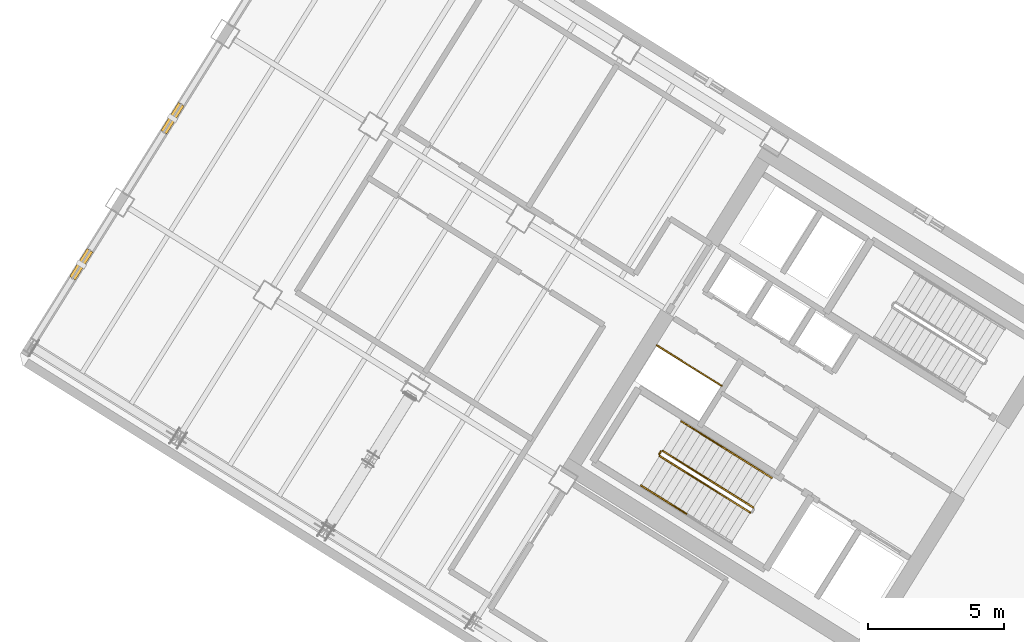
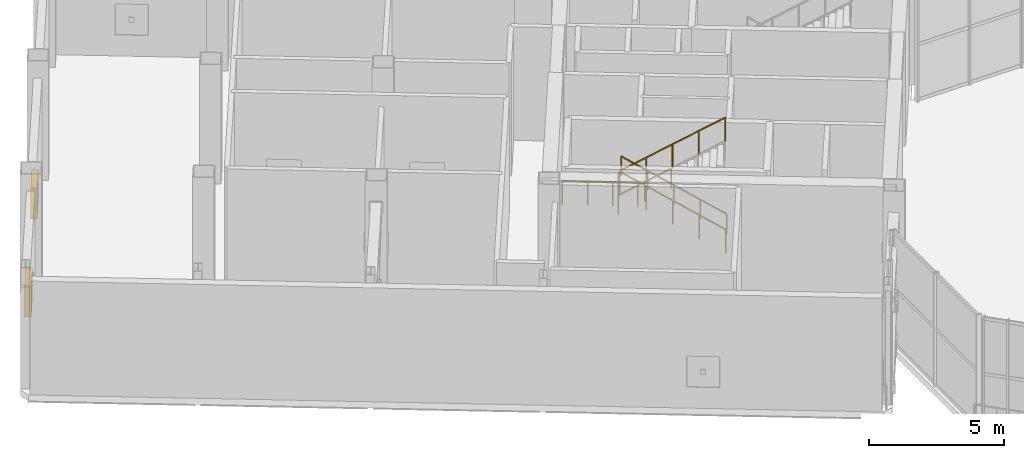
# One storey, part 26 of 30: 7 railings, 2 shading devices.
"""IFC4 building model written with IfcOpenShell, lengths in metres."""

from ifc_helpers import new_model, si_unit, direction, frame, origin, origin_2d, place, context, subcontext, project, spatial, rectangle, extrude, source, transform, mapped, material, type_object, element, save


model = new_model("IFC4")

# Units and contexts
model_context = context("Model", 3, precision=1e-05, world=origin(), true_north=direction((0.0, 1.0)))
body_context = subcontext(model_context, "Body", "Model", "MODEL_VIEW")
ifc_project = project(units=[si_unit("LENGTHUNIT", "METRE"), si_unit("AREAUNIT", "SQUARE_METRE"), si_unit("VOLUMEUNIT", "CUBIC_METRE"), si_unit("PLANEANGLEUNIT", "RADIAN"), si_unit("MASSUNIT", "GRAM", prefix="KILO")], contexts=[model_context])

# Site, building, storey
site_placement = place(None, origin())
site = spatial("IfcSite", under=ifc_project, at=site_placement, CompositionType="ELEMENT")
building_placement = place(site_placement, origin())
building = spatial("IfcBuilding", under=site, at=building_placement, Name="Tlacorven Tower", CompositionType="ELEMENT")
storey_placement = place(building_placement, frame((0.0, 0.0, 169.5)))
storey = spatial("IfcBuildingStorey", under=building, at=storey_placement, Name="L43", CompositionType="ELEMENT", Elevation=169.5)

# Railing
ifc_material_1 = material(Name="Aluminium and painted steel balustrade", Category="steel")
railing_type_1 = type_object("IfcRailingType", Name="RL-GRD-1100", PredefinedType="GUARDRAIL", material=ifc_material_1)
shared_shape_1 = source(origin(), body_context, "Body", "SweptSolid", [
    extrude(rectangle(XDim=0.048095703125, YDim=0.048095703125, at=origin_2d()), frame((0.0, 0.0, 1.076171875), z_axis=(-0.848091358275, 0.529850024081, 0.0), x_axis=(-0.529850024081, -0.848091358275, 0.0)), (0.0, 0.0, 1.0), 2.800048828125),
    extrude(rectangle(XDim=0.0419921875, YDim=0.0419921875, at=origin_2d()), origin(), (0.0, 0.0, 1.0), 1.052001953125),
    extrude(rectangle(XDim=0.0419921875, YDim=0.0419921875, at=origin_2d()), frame((-0.79150390625, 0.49462890625, 0.0)), (0.0, 0.0, 1.0), 1.052001953125),
    extrude(rectangle(XDim=0.0419921875, YDim=0.0419921875, at=origin_2d()), frame((-1.583251953125, 0.989013671875, 0.0)), (0.0, 0.0, 1.0), 1.052001953125),
    extrude(rectangle(XDim=0.0419921875, YDim=0.0419921875, at=origin_2d()), frame((-2.374755859375, 1.483642578125, 0.0)), (0.0, 0.0, 1.0), 1.052001953125),
])
railing_1_placement = place(storey_placement, frame((27.9912109375, 22.32080078125, 0.0)))
element("IfcRailing", 1, at=railing_1_placement, inside=storey, type_object=railing_type_1, Name="L43 Electrical Riser W Shaft Guard 1", PredefinedType="GUARDRAIL", context=body_context, shape_type="MappedRepresentation", body=[
    mapped(shared_shape_1, transform((0.0, 0.0, 0.0), scale=1.0)),
])

# Shading devices
ifc_material_2 = material(Name="Anodised bronze aluminium acoustic louvre", Category="aluminium")
shading_device_type = type_object("IfcShadingDeviceType", Name="SH-LVR-WND", PredefinedType="JALOUSIE", material=ifc_material_2)
shared_shape_2 = source(origin(), body_context, "Body", "SweptSolid", [
    extrude(rectangle(XDim=1.2099609375, YDim=0.25, at=origin_2d()), origin(), (0.0, 0.0, 1.0), 1.39990234375),
])
for number, where, z_axis, x_axis, name in (
    (2, (4.490966796875, 26.775634765625, 0.949951171875), (0.0, 0.0, 1.0), (0.529918940959, 0.84804829816, 0.0), "L43 Storm-Resistant Acoustic Louvre Bank 2.1"),
    (3, (7.8427734375, 32.1396484375, 0.949951171875), (0.0, 0.0, 1.0), (0.529918940959, 0.84804829816, 0.0), "L43 Storm-Resistant Acoustic Louvre Bank 2.2"),
):
    element("IfcShadingDevice", number, at=place(storey_placement, frame(where, z_axis=z_axis, x_axis=x_axis)), inside=storey, type_object=shading_device_type, Name=name, PredefinedType="JALOUSIE", context=body_context, shape_type="MappedRepresentation", body=[
        mapped(shared_shape_2, transform((0.0, 0.0, 0.0), scale=1.0)),
    ])

# Railings
shared_shape_3 = source(origin(), body_context, "Body", "SweptSolid", [
    extrude(rectangle(XDim=0.048095703125, YDim=0.048095703125, at=origin_2d()), frame((0.0, 0.0, 1.076171875), z_axis=(-0.529084052582, -0.848569422795, 0.0), x_axis=(0.848569422795, -0.529084052582, 0.0)), (0.0, 0.0, 1.0), 0.119873046875),
    extrude(rectangle(XDim=0.0419921875, YDim=0.0419921875, at=origin_2d()), origin(), (0.0, 0.0, 1.0), 1.052001953125),
    extrude(rectangle(XDim=0.0419921875, YDim=0.0419921875, at=origin_2d()), frame((-0.0634765625, -0.101806640625, 0.0)), (0.0, 0.0, 1.0), 1.052001953125),
])
railing_2_placement = place(storey_placement, frame((25.767333984375, 19.913330078125, 2.699951171875)))
element("IfcRailing", 4, at=railing_2_placement, inside=storey, type_object=railing_type_1, Name="L43 ST-W1 stair guard 2", PredefinedType="GUARDRAIL", context=body_context, shape_type="MappedRepresentation", body=[
    mapped(shared_shape_3, transform((0.0, 0.0, 0.0), scale=1.0)),
])
shared_shape_4 = source(origin(), body_context, "Body", "SweptSolid", [
    extrude(rectangle(XDim=0.048095703125, YDim=0.048095703125, at=origin_2d()), frame((0.0, 0.0, 1.076171875), z_axis=(-0.713337067426, 0.445783277521, 0.540765658782), x_axis=(-0.529954152494, -0.848026294554, 0.0)), (0.0, 0.0, 1.0), 4.66015625),
    extrude(rectangle(XDim=0.0419921875, YDim=0.0419921875, at=origin_2d()), origin(), (0.0, 0.0, 1.0), 1.052001953125),
    extrude(rectangle(XDim=0.0419921875, YDim=0.0419921875, at=origin_2d()), frame((-0.8310546875, 0.519287109375, 0.6298828125)), (0.0, 0.0, 1.0), 1.052001953125),
    extrude(rectangle(XDim=0.0419921875, YDim=0.0419921875, at=origin_2d()), frame((-1.662109375, 1.03857421875, 1.260009765625)), (0.0, 0.0, 1.0), 1.052001953125),
    extrude(rectangle(XDim=0.0419921875, YDim=0.0419921875, at=origin_2d()), frame((-2.4931640625, 1.55810546875, 1.89013671875)), (0.0, 0.0, 1.0), 1.052001953125),
    extrude(rectangle(XDim=0.0419921875, YDim=0.0419921875, at=origin_2d()), frame((-3.32421875, 2.077392578125, 2.52001953125)), (0.0, 0.0, 1.0), 1.052001953125),
])
railing_3_placement = place(storey_placement, frame((29.16064453125, 17.851806640625, 0.179931640625)))
element("IfcRailing", 5, at=railing_3_placement, inside=storey, type_object=railing_type_1, Name="L43 ST-W1 stair guard 1", PredefinedType="GUARDRAIL", context=body_context, shape_type="MappedRepresentation", body=[
    mapped(shared_shape_4, transform((0.0, 0.0, 0.0), scale=1.0)),
])
shared_shape_5 = source(origin(), body_context, "Body", "SweptSolid", [
    extrude(rectangle(XDim=0.048095703125, YDim=0.048095703125, at=origin_2d()), frame((0.0, 0.0, 1.076171875), z_axis=(0.713362797158, -0.445766618272, 0.540745449972), x_axis=(0.529926163394, 0.848043785043, 0.0)), (0.0, 0.0, 1.0), 4.66015625),
    extrude(rectangle(XDim=0.0419921875, YDim=0.0419921875, at=origin_2d()), origin(), (0.0, 0.0, 1.0), 1.052001953125),
    extrude(rectangle(XDim=0.0419921875, YDim=0.0419921875, at=origin_2d()), frame((0.8310546875, -0.519287109375, 0.6298828125)), (0.0, 0.0, 1.0), 1.052001953125),
    extrude(rectangle(XDim=0.0419921875, YDim=0.0419921875, at=origin_2d()), frame((1.662109375, -1.03857421875, 1.260009765625)), (0.0, 0.0, 1.0), 1.052001953125),
    extrude(rectangle(XDim=0.0419921875, YDim=0.0419921875, at=origin_2d()), frame((2.493408203125, -1.55810546875, 1.89013671875)), (0.0, 0.0, 1.0), 1.052001953125),
    extrude(rectangle(XDim=0.0419921875, YDim=0.0419921875, at=origin_2d()), frame((3.324462890625, -2.077392578125, 2.52001953125)), (0.0, 0.0, 1.0), 1.052001953125),
])
railing_4_placement = place(storey_placement, frame((25.7197265625, 19.74267578125, 2.8798828125)))
element("IfcRailing", 6, at=railing_4_placement, inside=storey, type_object=railing_type_1, Name="L43 ST-W1 stair guard 3", PredefinedType="GUARDRAIL", context=body_context, shape_type="MappedRepresentation", body=[
    mapped(shared_shape_5, transform((0.0, 0.0, 0.0), scale=1.0)),
])
railing_type_2 = type_object("IfcRailingType", Name="RL-HND-0900", PredefinedType="HANDRAIL", material=ifc_material_1)
shared_shape_6 = source(origin(), body_context, "Body", "SweptSolid", [
    extrude(rectangle(XDim=0.048095703125, YDim=0.048095703125, at=origin_2d()), frame((0.0, 0.0, 0.8759765625), z_axis=(-0.713371865327, 0.445791935228, 0.540712615208), x_axis=(-0.529942963146, -0.848033286971, 0.0)), (0.0, 0.0, 1.0), 2.330322265625),
    extrude(rectangle(XDim=0.0419921875, YDim=0.0419921875, at=origin_2d()), origin(), (0.0, 0.0, 1.0), 0.851806640625),
    extrude(rectangle(XDim=0.0419921875, YDim=0.0419921875, at=origin_2d()), frame((-0.8310546875, 0.51953125, 0.6298828125)), (0.0, 0.0, 1.0), 0.851806640625),
    extrude(rectangle(XDim=0.0419921875, YDim=0.0419921875, at=origin_2d()), frame((-1.662353515625, 1.038818359375, 1.260009765625)), (0.0, 0.0, 1.0), 0.851806640625),
])
railing_5_placement = place(storey_placement, frame((29.839111328125, 18.937255859375, 0.179931640625)))
element("IfcRailing", 7, at=railing_5_placement, inside=storey, type_object=railing_type_2, Name="L43 ST-W1 stair handrail 1", PredefinedType="HANDRAIL", context=body_context, shape_type="MappedRepresentation", body=[
    mapped(shared_shape_6, transform((0.0, 0.0, 0.0), scale=1.0)),
])
shared_shape_7 = source(origin(), body_context, "Body", "SweptSolid", [
    extrude(rectangle(XDim=0.048095703125, YDim=0.048095703125, at=origin_2d()), frame((0.0, 0.0, 0.8759765625), z_axis=(-0.713353726602, 0.445741297439, 0.540778287749), x_axis=(-0.52990936055, -0.848054284584, 0.0)), (0.0, 0.0, 1.0), 2.330078125),
    extrude(rectangle(XDim=0.0419921875, YDim=0.0419921875, at=origin_2d()), origin(), (0.0, 0.0, 1.0), 0.851806640625),
    extrude(rectangle(XDim=0.0419921875, YDim=0.0419921875, at=origin_2d()), frame((-0.8310546875, 0.519287109375, 0.6298828125)), (0.0, 0.0, 1.0), 0.851806640625),
    extrude(rectangle(XDim=0.0419921875, YDim=0.0419921875, at=origin_2d()), frame((-1.662109375, 1.03857421875, 1.260009765625)), (0.0, 0.0, 1.0), 0.851806640625),
])
railing_6_placement = place(storey_placement, frame((28.1767578125, 19.97607421875, 1.43994140625)))
element("IfcRailing", 8, at=railing_6_placement, inside=storey, type_object=railing_type_2, Name="L43 ST-W1 stair handrail 2", PredefinedType="HANDRAIL", context=body_context, shape_type="MappedRepresentation", body=[
    mapped(shared_shape_7, transform((0.0, 0.0, 0.0), scale=1.0)),
])
shared_shape_8 = source(origin(), body_context, "Body", "SweptSolid", [
    extrude(rectangle(XDim=0.048095703125, YDim=0.048095703125, at=origin_2d()), frame((0.0, 0.0, 0.8759765625), z_axis=(0.713353726602, -0.445741297439, 0.540778287749), x_axis=(0.52990936055, 0.848054284584, 0.0)), (0.0, 0.0, 1.0), 2.330078125),
    extrude(rectangle(XDim=0.0419921875, YDim=0.0419921875, at=origin_2d()), origin(), (0.0, 0.0, 1.0), 0.851806640625),
    extrude(rectangle(XDim=0.0419921875, YDim=0.0419921875, at=origin_2d()), frame((0.8310546875, -0.519287109375, 0.6298828125)), (0.0, 0.0, 1.0), 0.851806640625),
    extrude(rectangle(XDim=0.0419921875, YDim=0.0419921875, at=origin_2d()), frame((1.662109375, -1.03857421875, 1.260009765625)), (0.0, 0.0, 1.0), 0.851806640625),
])
railing_7_placement = place(storey_placement, frame((25.04150390625, 18.656982421875, 2.8798828125)))
element("IfcRailing", 9, at=railing_7_placement, inside=storey, type_object=railing_type_2, Name="L43 ST-W1 stair handrail 3", PredefinedType="HANDRAIL", context=body_context, shape_type="MappedRepresentation", body=[
    mapped(shared_shape_8, transform((0.0, 0.0, 0.0), scale=1.0)),
])

save(model, "model.ifc")
